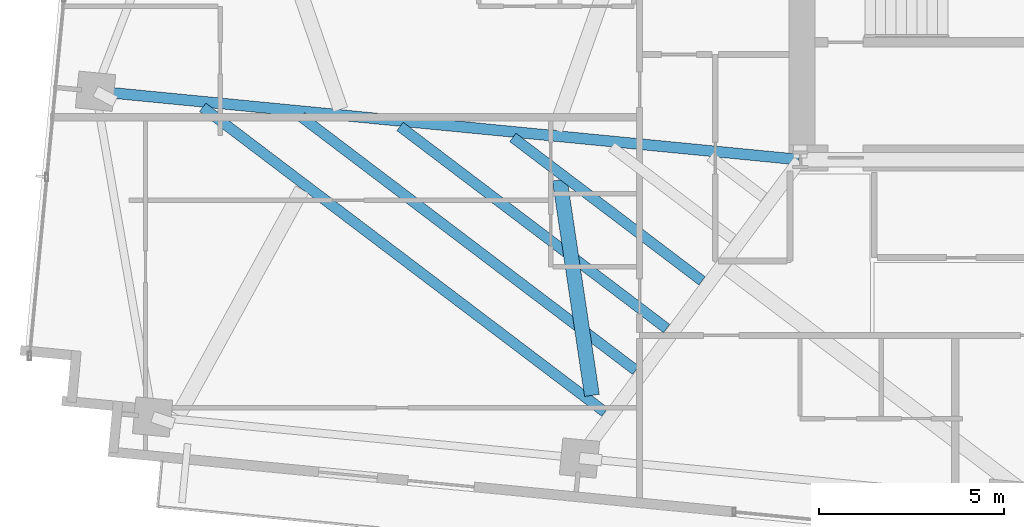
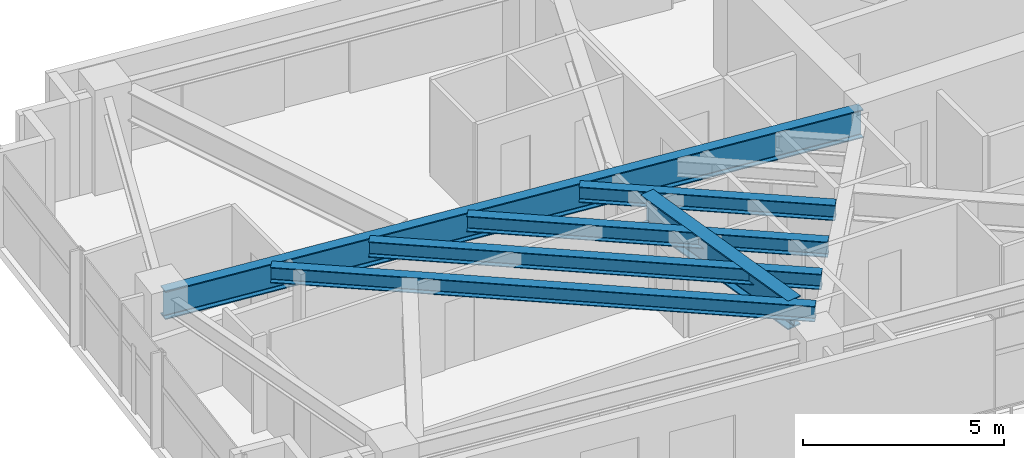
# One storey, part 3 of 20: 6 beams.
"""IFC4 building model written with IfcOpenShell, lengths in metres."""

from ifc_helpers import new_model, si_unit, direction, frame, origin, origin_2d, place, context, subcontext, project, spatial, i_section, extrude, source, transform, mapped, material, material_profile, profile_set, type_object, type_shapes, element, save


model = new_model("IFC4")

# Units and contexts
model_context = context("Model", 3, precision=1e-05, world=origin(), true_north=direction((0.0, 1.0)))
body_context = subcontext(model_context, "Body", "Model", "MODEL_VIEW")
ifc_project = project(units=[si_unit("LENGTHUNIT", "METRE"), si_unit("AREAUNIT", "SQUARE_METRE"), si_unit("VOLUMEUNIT", "CUBIC_METRE"), si_unit("PLANEANGLEUNIT", "RADIAN"), si_unit("MASSUNIT", "GRAM", prefix="KILO")], contexts=[model_context])

# Site, building, storey
site_placement = place(None, origin())
site = spatial("IfcSite", under=ifc_project, at=site_placement, CompositionType="ELEMENT")
building_placement = place(site_placement, origin())
building = spatial("IfcBuilding", under=site, at=building_placement, Name="Astriad Promenade Condominiums", CompositionType="ELEMENT")
storey_placement = place(building_placement, frame((0.0, 0.0, 159.800048828125)))
storey = spatial("IfcBuildingStorey", under=building, at=storey_placement, Name="L46", CompositionType="ELEMENT", Elevation=159.800048828125)

# Beams
ifc_material = material(Name="Steel ASTM A992 Grade 50", Category="steel")
ifc_material_profile_1 = material_profile(ifc_material, i_section(OverallWidth=0.2919921875, OverallDepth=0.85888671875, WebThickness=0.01708984375, FlangeThickness=0.031005859375, FilletRadius=0.02294921875, at=origin_2d()), Name="W33X169")
ifc_profile_set_1 = profile_set([ifc_material_profile_1], Name="Steel ASTM A992 Grade 50")
beam_type_1 = type_object("IfcBeamType", Name="STEEL PRIMARY GIRDER W33X169", PredefinedType="BEAM", material=ifc_profile_set_1)
shared_shape_1 = source(origin(), body_context, "Body", "SweptSolid", [
    extrude(i_section(OverallWidth=0.2919921875, OverallDepth=0.85888671875, WebThickness=0.01708984375, FlangeThickness=0.031005859375, FilletRadius=0.02294921875, at=origin_2d()), origin(), (0.0, 0.0, 1.0), 19.07177734375),
])
type_shapes(beam_type_1, [shared_shape_1])
beam_1_placement = place(storey_placement, frame((7.377685546875, 19.247802734375, 2.470458984375), z_axis=(0.995314830032, -0.096687068001, 0.0), x_axis=(0.096687068001, 0.995314830032, 0.0)))
element("IfcBeam", 1, at=beam_1_placement, inside=storey, type_object=beam_type_1, Name="Primary Floor Girder PG-WM-L46", PredefinedType="BEAM", context=body_context, shape_type="MappedRepresentation", body=[
    mapped(shared_shape_1, transform((0.0, 0.0, 0.0), scale=1.0)),
])
ifc_material_profile_2 = material_profile(ifc_material, i_section(OverallWidth=0.283203125, OverallDepth=0.47216796875, WebThickness=0.013671875, FlangeThickness=0.022216796875, FilletRadius=0.01513671875, at=origin_2d()), Name="W18X97")
ifc_profile_set_2 = profile_set([ifc_material_profile_2], Name="Steel ASTM A992 Grade 50")
beam_type_2 = type_object("IfcBeamType", Name="STEEL FLOOR JOIST W18X97", PredefinedType="JOIST", material=ifc_profile_set_2)
shared_shape_2 = source(origin(), body_context, "Body", "SweptSolid", [
    extrude(i_section(OverallWidth=0.283203125, OverallDepth=0.47216796875, WebThickness=0.013671875, FlangeThickness=0.022216796875, FilletRadius=0.01513671875, at=origin_2d()), origin(), (0.0, 0.0, 1.0), 13.64697265625),
])
beam_2_placement = place(storey_placement, frame((10.236572265625, 18.818115234375, 2.663818359375), z_axis=(0.796973667543, -0.604014050534, 0.0), x_axis=(0.604014050534, 0.796973667543, 0.0)))
element("IfcBeam", 2, at=beam_2_placement, inside=storey, type_object=beam_type_2, Name="Secondary Composite Floor Joist JW1-1-L46", PredefinedType="JOIST", context=body_context, shape_type="MappedRepresentation", body=[
    mapped(shared_shape_2, transform((0.0, 0.0, 0.0), scale=1.0)),
])
shared_shape_3 = source(origin(), body_context, "Body", "SweptSolid", [
    extrude(i_section(OverallWidth=0.283203125, OverallDepth=0.47216796875, WebThickness=0.013671875, FlangeThickness=0.022216796875, FilletRadius=0.01513671875, at=origin_2d()), origin(), (0.0, 0.0, 1.0), 11.347412109375),
])
beam_3_placement = place(storey_placement, frame((12.9052734375, 18.558837890625, 2.663818359375), z_axis=(0.796976964849, -0.60400969984, 0.0), x_axis=(0.60400969984, 0.796976964849, 0.0)))
element("IfcBeam", 3, at=beam_3_placement, inside=storey, type_object=beam_type_2, Name="Secondary Composite Floor Joist JW1-2-L46", PredefinedType="JOIST", context=body_context, shape_type="MappedRepresentation", body=[
    mapped(shared_shape_3, transform((0.0, 0.0, 0.0), scale=1.0)),
])
shared_shape_4 = source(origin(), body_context, "Body", "SweptSolid", [
    extrude(i_section(OverallWidth=0.283203125, OverallDepth=0.47216796875, WebThickness=0.013671875, FlangeThickness=0.022216796875, FilletRadius=0.01513671875, at=origin_2d()), origin(), (0.0, 0.0, 1.0), 9.048095703125),
])
beam_4_placement = place(storey_placement, frame((15.573974609375, 18.299560546875, 2.663818359375), z_axis=(0.796981937997, -0.604003137829, 0.0), x_axis=(0.604003137829, 0.796981937997, 0.0)))
element("IfcBeam", 4, at=beam_4_placement, inside=storey, type_object=beam_type_2, Name="Secondary Composite Floor Joist JW1-3-L46", PredefinedType="JOIST", context=body_context, shape_type="MappedRepresentation", body=[
    mapped(shared_shape_4, transform((0.0, 0.0, 0.0), scale=1.0)),
])
shared_shape_5 = source(origin(), body_context, "Body", "SweptSolid", [
    extrude(i_section(OverallWidth=0.283203125, OverallDepth=0.47216796875, WebThickness=0.013671875, FlangeThickness=0.022216796875, FilletRadius=0.01513671875, at=origin_2d()), origin(), (0.0, 0.0, 1.0), 6.420654296875),
])
type_shapes(beam_type_2, [shared_shape_2, shared_shape_3, shared_shape_4, shared_shape_5])
beam_5_placement = place(storey_placement, frame((18.6240234375, 18.00341796875, 2.663818359375), z_axis=(0.796964567146, -0.604026057976, 0.0), x_axis=(0.604026057976, 0.796964567146, 0.0)))
element("IfcBeam", 5, at=beam_5_placement, inside=storey, type_object=beam_type_2, Name="Secondary Composite Floor Joist JW1-4-L46", PredefinedType="JOIST", context=body_context, shape_type="MappedRepresentation", body=[
    mapped(shared_shape_5, transform((0.0, 0.0, 0.0), scale=1.0)),
])
ifc_material_profile_3 = material_profile(ifc_material, i_section(OverallWidth=0.4013671875, OverallDepth=0.877197265625, WebThickness=0.022216796875, FlangeThickness=0.039794921875, FilletRadius=0.02294921875, at=origin_2d()), Name="W33X263")
ifc_profile_set_3 = profile_set([ifc_material_profile_3], Name="Steel ASTM A992 Grade 50")
beam_type_3 = type_object("IfcBeamType", Name="STEEL TRANSFER CARRIER GIRDER W33X263", PredefinedType="BEAM", material=ifc_profile_set_3)
shared_shape_6 = source(origin(), body_context, "Body", "SweptSolid", [
    extrude(i_section(OverallWidth=0.4013671875, OverallDepth=0.877197265625, WebThickness=0.022216796875, FlangeThickness=0.039794921875, FilletRadius=0.02294921875, at=origin_2d()), origin(), (0.0, 0.0, 1.0), 5.892578125),
])
type_shapes(beam_type_3, [shared_shape_6])
beam_6_placement = place(storey_placement, frame((19.89453125, 16.85400390625, 2.46142578125), z_axis=(0.147538109064, -0.989056371687, 0.0), x_axis=(0.989056371687, 0.147538109064, 0.0)))
element("IfcBeam", 6, at=beam_6_placement, inside=storey, type_object=beam_type_3, Name="Transfer Splice Carrier TRM-SP-PC02-L46", PredefinedType="BEAM", context=body_context, shape_type="MappedRepresentation", body=[
    mapped(shared_shape_6, transform((0.0, 0.0, 0.0), scale=1.0)),
])

save(model, "model.ifc")
